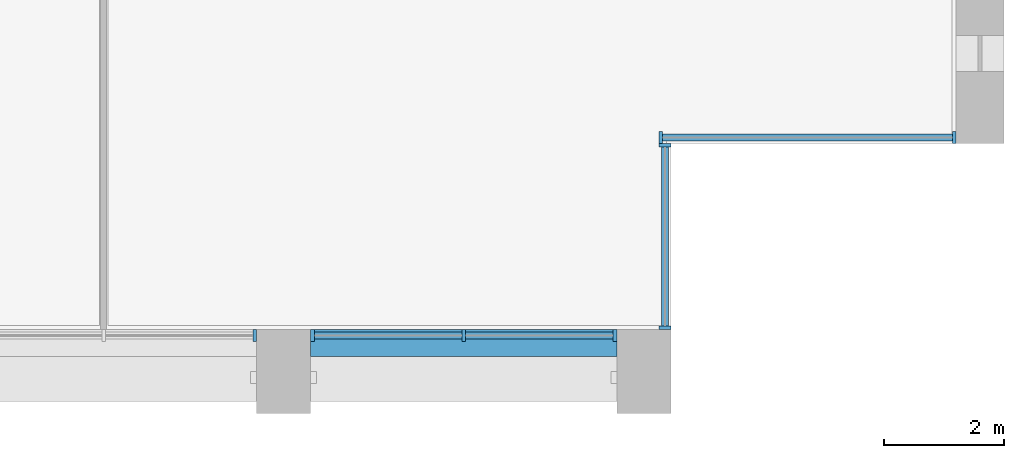
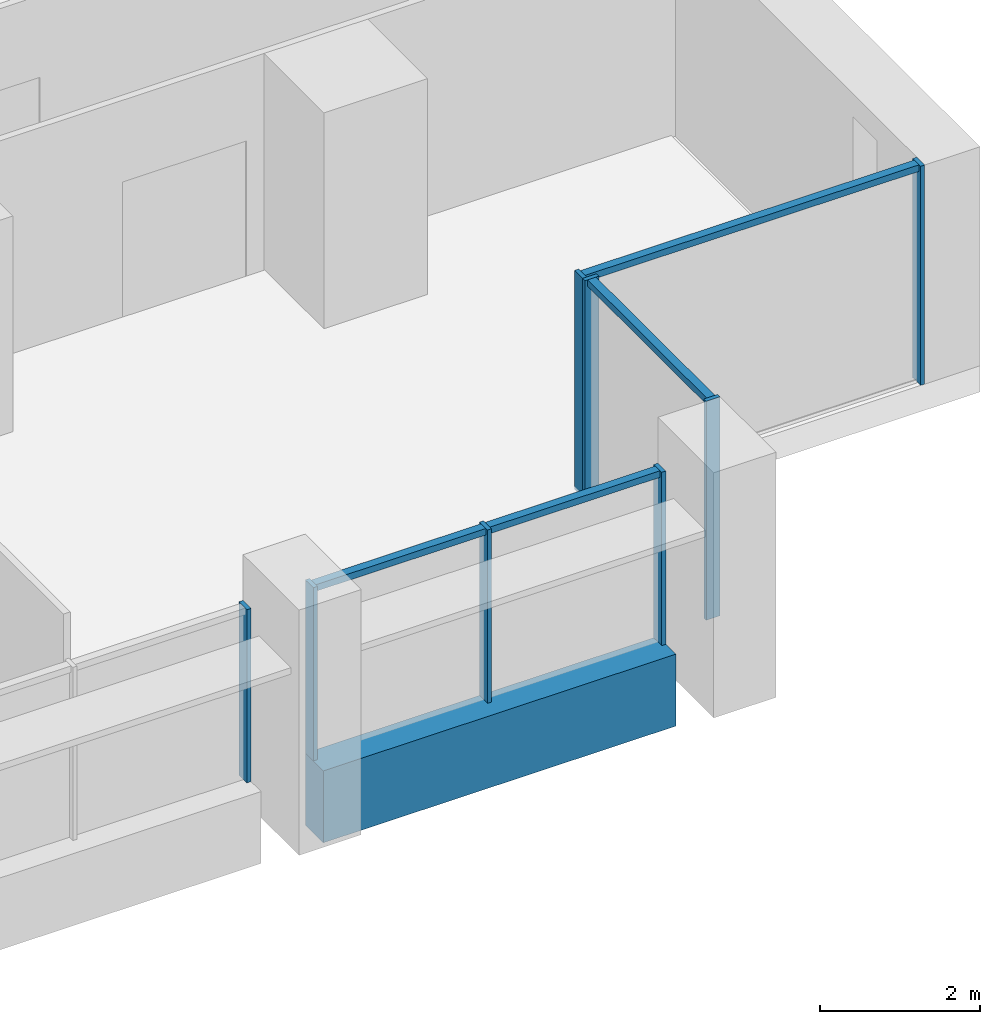
# One storey, part 5 of 18: 12 members, 1 beam, 4 elements without a shape of their own.
"""IFC4 building model written with IfcOpenShell, lengths in metres."""

from ifc_helpers import new_model, si_unit, direction, frame, origin, origin_2d, place, context, subcontext, project, spatial, rectangle, extrude, material, material_profile, profile_set, type_object, element, aggregate, save


model = new_model("IFC4")

# Units and contexts
model_context = context("Model", 3, precision=1e-05, world=origin(), true_north=direction((0.0, 1.0)))
body_context = subcontext(model_context, "Body", "Model", "MODEL_VIEW")
ifc_project = project(units=[si_unit("LENGTHUNIT", "METRE"), si_unit("AREAUNIT", "SQUARE_METRE"), si_unit("VOLUMEUNIT", "CUBIC_METRE"), si_unit("PLANEANGLEUNIT", "RADIAN"), si_unit("MASSUNIT", "GRAM", prefix="KILO")], contexts=[model_context])

# Site, building, storey
site_placement = place(None, origin())
site = spatial("IfcSite", under=ifc_project, at=site_placement, CompositionType="ELEMENT")
building_placement = place(site_placement, origin())
building = spatial("IfcBuilding", under=site, at=building_placement, Name="Calvaro Tower", CompositionType="ELEMENT")
storey_placement = place(building_placement, frame((0.0, 0.0, 78.75)))
storey = spatial("IfcBuildingStorey", under=building, at=storey_placement, Name="L19", CompositionType="ELEMENT", Elevation=78.75)

# Curtain wall, member
ifc_material_1 = material(Name="Anodised aluminium", Category="aluminium")
curtain_wall_type = type_object("IfcCurtainWallType", Name="Office curtain wall, lower zone", PredefinedType="NOTDEFINED", material=ifc_material_1)
curtain_wall_1_placement = place(storey_placement, origin())
curtain_wall_1 = element("IfcCurtainWall", 1, at=curtain_wall_1_placement, inside=storey, type_object=curtain_wall_type, Name="CW1 south curtain wall", PredefinedType="NOTDEFINED")
ifc_material_2 = material(Name="Anodised aluminium", Category="aluminium")
ifc_material_profile_1 = material_profile(ifc_material_2, rectangle(XDim=0.199951171875, YDim=0.06005859375, at=origin_2d()), Name="Mullion S1 60 x 200")
ifc_profile_set_1 = profile_set([ifc_material_profile_1], Name="Anodised aluminium")
member_type_1 = type_object("IfcMemberType", Name="Mullion S1 60 x 200", PredefinedType="MULLION", material=ifc_profile_set_1)
member_1_placement = place(storey_placement, frame((65.52001953125, 1.300048828125, 0.0), z_axis=(0.0, 0.0, 1.0), x_axis=(0.0, 1.0, 0.0)))
member_1 = element("IfcMember", 2, at=member_1_placement, type_object=member_type_1, Name="CW1 mullion 3", PredefinedType="MULLION", context=body_context, shape_type="SweptSolid", body=[
    extrude(rectangle(XDim=0.199951171875, YDim=0.06005859375, at=origin_2d()), origin(), (0.0, 0.0, 1.0), 2.64990234375),
])
aggregate(curtain_wall_1, [member_1])

# Curtain wall, members
curtain_wall_2_placement = place(storey_placement, origin())
curtain_wall_2 = element("IfcCurtainWall", 3, at=curtain_wall_2_placement, inside=storey, type_object=curtain_wall_type, Name="CW1 south curtain wall", PredefinedType="NOTDEFINED")
member_2_placement = place(storey_placement, frame((66.47998046875, 1.300048828125, 0.0), z_axis=(0.0, 0.0, 1.0), x_axis=(0.0, 1.0, 0.0)))
member_2 = element("IfcMember", 4, at=member_2_placement, type_object=member_type_1, Name="CW1 mullion 1", PredefinedType="MULLION", context=body_context, shape_type="SweptSolid", body=[
    extrude(rectangle(XDim=0.199951171875, YDim=0.06005859375, at=origin_2d()), origin(), (0.0, 0.0, 1.0), 2.64990234375),
])
member_3_placement = place(storey_placement, frame((69.0, 1.300048828125, 0.0), z_axis=(0.0, 0.0, 1.0), x_axis=(0.0, 1.0, 0.0)))
member_3 = element("IfcMember", 5, at=member_3_placement, type_object=member_type_1, Name="CW1 mullion 2", PredefinedType="MULLION", context=body_context, shape_type="SweptSolid", body=[
    extrude(rectangle(XDim=0.199951171875, YDim=0.06005859375, at=origin_2d()), origin(), (0.0, 0.0, 1.0), 2.64990234375),
])
member_4_placement = place(storey_placement, frame((71.52001953125, 1.300048828125, 0.0), z_axis=(0.0, 0.0, 1.0), x_axis=(0.0, 1.0, 0.0)))
member_4 = element("IfcMember", 6, at=member_4_placement, type_object=member_type_1, Name="CW1 mullion 3", PredefinedType="MULLION", context=body_context, shape_type="SweptSolid", body=[
    extrude(rectangle(XDim=0.199951171875, YDim=0.06005859375, at=origin_2d()), origin(), (0.0, 0.0, 1.0), 2.64990234375),
])

curtain_wall_3_placement = place(storey_placement, origin())
curtain_wall_3 = element("IfcCurtainWall", 7, at=curtain_wall_3_placement, inside=storey, type_object=curtain_wall_type, Name="CW1 corner curtain wall", PredefinedType="NOTDEFINED")
member_5_placement = place(storey_placement, frame((72.35009765625, 1.429931640625, 0.0), z_axis=(0.0, 0.0, 1.0), x_axis=(-1.0, 0.0, 0.0)))
member_5 = element("IfcMember", 8, at=member_5_placement, type_object=member_type_1, Name="CW1 mullion 1", PredefinedType="MULLION", context=body_context, shape_type="SweptSolid", body=[
    extrude(rectangle(XDim=0.199951171875, YDim=0.06005859375, at=origin_2d()), origin(), (0.0, 0.0, 1.0), 3.35009765625),
])
member_6_placement = place(storey_placement, frame((72.35009765625, 4.469970703125, 0.0), z_axis=(0.0, 0.0, 1.0), x_axis=(-1.0, 0.0, 0.0)))
member_6 = element("IfcMember", 9, at=member_6_placement, type_object=member_type_1, Name="CW1 mullion 2", PredefinedType="MULLION", context=body_context, shape_type="SweptSolid", body=[
    extrude(rectangle(XDim=0.199951171875, YDim=0.06005859375, at=origin_2d()), origin(), (0.0, 0.0, 1.0), 3.35009765625),
])

curtain_wall_4_placement = place(storey_placement, origin())
curtain_wall_4 = element("IfcCurtainWall", 10, at=curtain_wall_4_placement, inside=storey, type_object=curtain_wall_type, Name="CW1 corner curtain wall", PredefinedType="NOTDEFINED")
member_7_placement = place(storey_placement, frame((72.280029296875, 4.60009765625, 0.0), z_axis=(0.0, 0.0, 1.0), x_axis=(0.0, 1.0, 0.0)))
member_7 = element("IfcMember", 11, at=member_7_placement, type_object=member_type_1, Name="CW1 mullion 1", PredefinedType="MULLION", context=body_context, shape_type="SweptSolid", body=[
    extrude(rectangle(XDim=0.199951171875, YDim=0.06005859375, at=origin_2d()), origin(), (0.0, 0.0, 1.0), 3.35009765625),
])
member_8_placement = place(storey_placement, frame((77.169921875, 4.60009765625, 0.0), z_axis=(0.0, 0.0, 1.0), x_axis=(0.0, 1.0, 0.0)))
member_8 = element("IfcMember", 12, at=member_8_placement, type_object=member_type_1, Name="CW1 mullion 2", PredefinedType="MULLION", context=body_context, shape_type="SweptSolid", body=[
    extrude(rectangle(XDim=0.199951171875, YDim=0.06005859375, at=origin_2d()), origin(), (0.0, 0.0, 1.0), 3.35009765625),
])

# Beam
ifc_material_3 = material(Name="Concrete C50/60 precast", Category="concrete")
ifc_material_profile_2 = material_profile(ifc_material_3, rectangle(XDim=0.449951171875, YDim=1.10009765625, at=origin_2d()), Name="RC 450x1100")
ifc_profile_set_2 = profile_set([ifc_material_profile_2], Name="Concrete C50/60 precast")
beam_type = type_object("IfcBeamType", Name="Spandrel beam 450x1100 C50/60", PredefinedType="SPANDREL", material=ifc_profile_set_2)
beam_placement = place(storey_placement, frame((66.449951171875, 1.175048828125, -0.550048828125), z_axis=(1.0, 0.0, 0.0), x_axis=(0.0, 1.0, 0.0)))
element("IfcBeam", 13, at=beam_placement, inside=storey, type_object=beam_type, Name="Spandrel beam", PredefinedType="SPANDREL", context=body_context, shape_type="SweptSolid", body=[
    extrude(rectangle(XDim=0.449951171875, YDim=1.10009765625, at=origin_2d()), origin(), (0.0, 0.0, 1.0), 5.10009765625),
])

# Member
ifc_material_4 = material(Name="Anodised aluminium", Category="aluminium")
ifc_material_profile_3 = material_profile(ifc_material_4, rectangle(XDim=0.1201171875, YDim=0.10009765625, at=origin_2d()), Name="Transom S1 100 x 120")
ifc_profile_set_3 = profile_set([ifc_material_profile_3], Name="Anodised aluminium")
member_type_2 = type_object("IfcMemberType", Name="Transom S1 100 x 120", PredefinedType="USERDEFINED", material=ifc_profile_set_3)
member_9_placement = place(storey_placement, frame((66.510009765625, 1.300048828125, 2.60009765625), z_axis=(1.0, 0.0, 0.0), x_axis=(0.0, 1.0, 0.0)))
member_9 = element("IfcMember", 14, at=member_9_placement, type_object=member_type_2, Name="CW1 transom 1.1", ObjectType="TRANSOM", PredefinedType="USERDEFINED", context=body_context, shape_type="SweptSolid", body=[
    extrude(rectangle(XDim=0.1201171875, YDim=0.10009765625, at=origin_2d()), origin(), (0.0, 0.0, 1.0), 2.4599609375),
])

member_10_placement = place(storey_placement, frame((69.030029296875, 1.300048828125, 2.60009765625), z_axis=(1.0, 0.0, 0.0), x_axis=(0.0, 1.0, 0.0)))
member_10 = element("IfcMember", 15, at=member_10_placement, type_object=member_type_2, Name="CW1 transom 2.1", ObjectType="TRANSOM", PredefinedType="USERDEFINED", context=body_context, shape_type="SweptSolid", body=[
    extrude(rectangle(XDim=0.1201171875, YDim=0.10009765625, at=origin_2d()), origin(), (0.0, 0.0, 1.0), 2.4599609375),
])

aggregate(curtain_wall_2, [member_2, member_3, member_4, member_9, member_10])

member_11_placement = place(storey_placement, frame((72.35009765625, 1.4599609375, 3.300048828125), z_axis=(0.0, 1.0, 0.0), x_axis=(-1.0, 0.0, 0.0)))
member_11 = element("IfcMember", 16, at=member_11_placement, type_object=member_type_2, Name="CW1 transom 1.1", ObjectType="TRANSOM", PredefinedType="USERDEFINED", context=body_context, shape_type="SweptSolid", body=[
    extrude(rectangle(XDim=0.1201171875, YDim=0.10009765625, at=origin_2d()), origin(), (0.0, 0.0, 1.0), 2.97998046875),
])

aggregate(curtain_wall_3, [member_5, member_6, member_11])

member_12_placement = place(storey_placement, frame((72.31005859375, 4.60009765625, 3.300048828125), z_axis=(1.0, 0.0, 0.0), x_axis=(0.0, 1.0, 0.0)))
member_12 = element("IfcMember", 17, at=member_12_placement, type_object=member_type_2, Name="CW1 transom 1.1", ObjectType="TRANSOM", PredefinedType="USERDEFINED", context=body_context, shape_type="SweptSolid", body=[
    extrude(rectangle(XDim=0.1201171875, YDim=0.10009765625, at=origin_2d()), origin(), (0.0, 0.0, 1.0), 4.829833984375),
])

aggregate(curtain_wall_4, [member_7, member_8, member_12])

save(model, "model.ifc")
